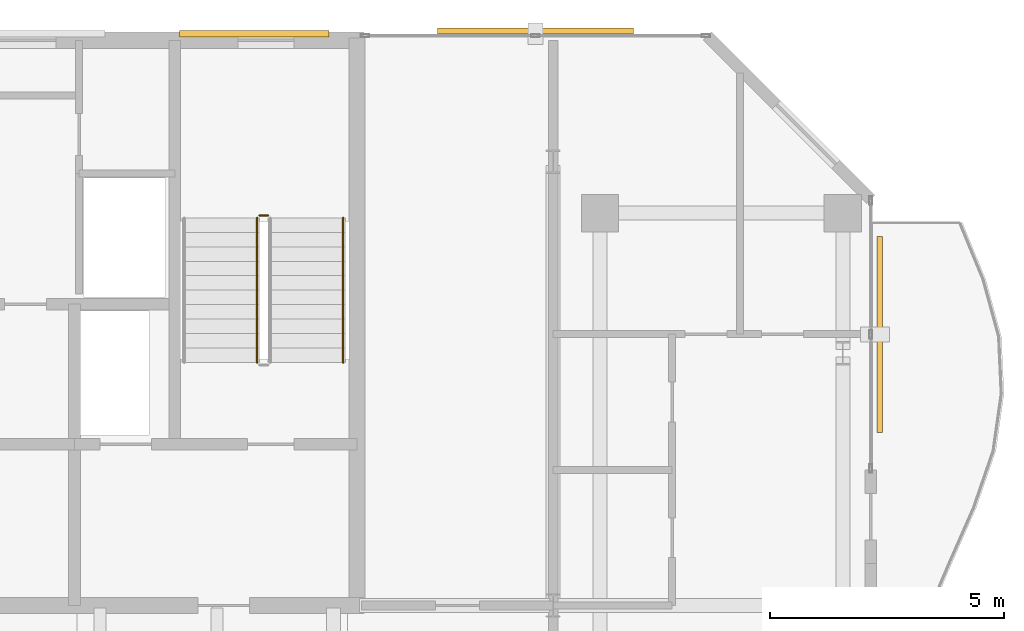
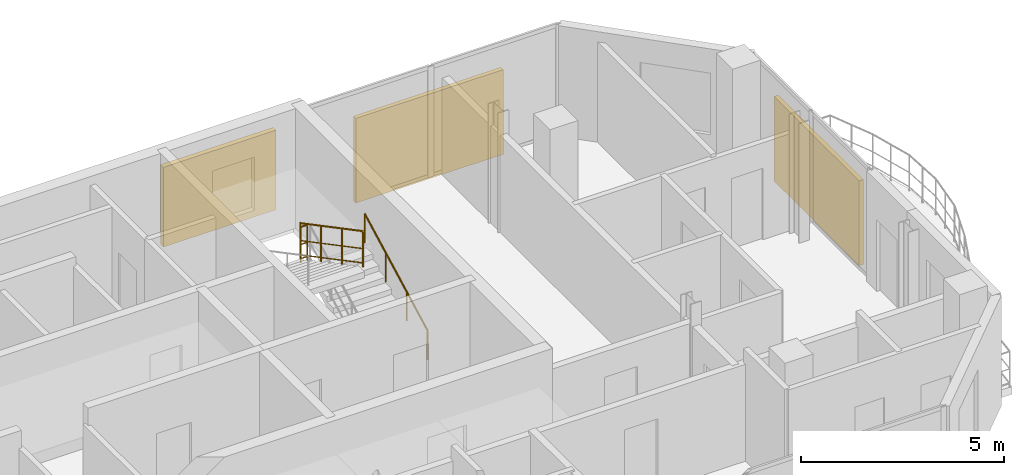
# One storey, part 23 of 23: 3 railings, 3 shading devices.
"""IFC4 building model written with IfcOpenShell, lengths in metres."""

import ifcopenshell
import ifcopenshell.guid

model = None  # the IFC model being written
_history = None  # IfcOwnerHistory: only IFC2X3 demands one
_inside = {}  # id of a spatial element -> (the spatial element, [elements in it])
_under = {}  # id of a project, library or spatial element -> (it, [spatial elements below it])
_declared = {}  # id of a project -> (the project, [libraries it declares])
_typed = {}  # id of a type object -> (the type object, [elements of that type])
_made_of = {}  # id of a material, layer set ... -> (it, [elements and type objects made of it])


def new_model(schema):
    """Start an empty IFC model of exactly this schema.

    Asked for "IFC4X3", IfcOpenShell would pick the latest addendum, in which some entities
    have other attributes; the version numbers below select the first issue.
    IFC2X3 requires an IfcOwnerHistory on every rooted entity: one is made here for all.
    """
    global model, _history
    if schema == "IFC4X3":
        model = ifcopenshell.file(schema_version=(4, 3, 0, 0))
    else:
        model = ifcopenshell.file(schema=schema)
    _inside.clear()
    _under.clear()
    _declared.clear()
    _typed.clear()
    _made_of.clear()
    _history = None
    if model.schema == "IFC2X3":
        org = make("IfcOrganization", Name="unknown")
        user = make(
            "IfcPersonAndOrganization",
            ThePerson=make("IfcPerson", FamilyName="unknown"),
            TheOrganization=org,
        )
        app = make(
            "IfcApplication",
            ApplicationDeveloper=org,
            Version="unknown",
            ApplicationFullName="unknown",
            ApplicationIdentifier="unknown",
        )
        _history = make(
            "IfcOwnerHistory",
            OwningUser=user,
            OwningApplication=app,
            ChangeAction="ADDED",
            CreationDate=0,
        )
    return model


def make(cls, **values):
    """One entity of the class cls with the attributes given. An attribute that is None is left unset."""
    return model.create_entity(
        cls, **{name: value for name, value in values.items() if value is not None}
    )


def rooted(cls, **values):
    """An entity with a GlobalId (a new one), such as an element, a storey or a relation."""
    return make(cls, GlobalId=ifcopenshell.guid.new(), OwnerHistory=_history, **values)


def si_unit(unit_type, name, prefix=None):
    """IfcSIUnit, for example si_unit("LENGTHUNIT", "METRE", prefix="MILLI")."""
    return make("IfcSIUnit", UnitType=unit_type, Prefix=prefix, Name=name)


def assignment(units):
    """IfcUnitAssignment: the units of a project."""
    return None if units is None else make("IfcUnitAssignment", Units=units)


def point(xyz):
    """IfcCartesianPoint."""
    return None if xyz is None else make("IfcCartesianPoint", Coordinates=xyz)


def direction(xyz):
    """IfcDirection."""
    return None if xyz is None else make("IfcDirection", DirectionRatios=xyz)


def frame(location, z_axis=None, x_axis=None):
    """IfcAxis2Placement3D, a coordinate frame: its origin and axes. An axis left out is left unset."""
    return make(
        "IfcAxis2Placement3D",
        Location=point(location),
        Axis=direction(z_axis),
        RefDirection=direction(x_axis),
    )


def frame_2d(location, x_axis=None):
    """IfcAxis2Placement2D, a coordinate frame in the plane: its origin and x axis."""
    return make(
        "IfcAxis2Placement2D", Location=point(location), RefDirection=direction(x_axis)
    )


def origin():
    """The frame at (0, 0, 0) with its axes left unset."""
    return frame((0.0, 0.0, 0.0))


def origin_2d():
    """The frame at (0, 0) in the plane with its x axis left unset."""
    return frame_2d((0.0, 0.0))


def place(relative_to, where):
    """IfcLocalPlacement: puts the frame where relative to a parent placement (None: the world)."""
    return make(
        "IfcLocalPlacement", PlacementRelTo=relative_to, RelativePlacement=where
    )


def context(
    kind, dimensions, precision=None, world=None, true_north=None, identifier=None
):
    """IfcGeometricRepresentationContext, for example the 3D "Model" context."""
    return make(
        "IfcGeometricRepresentationContext",
        ContextIdentifier=identifier,
        ContextType=kind,
        CoordinateSpaceDimension=dimensions,
        Precision=precision,
        WorldCoordinateSystem=world,
        TrueNorth=true_north,
    )


def subcontext(parent, identifier, kind, view, scale=None):
    """IfcGeometricRepresentationSubContext, for example "Body" below "Model"."""
    return make(
        "IfcGeometricRepresentationSubContext",
        ContextIdentifier=identifier,
        ContextType=kind,
        ParentContext=parent,
        TargetScale=scale,
        TargetView=view,
    )


def project(units=None, contexts=None):
    """IfcProject with its units and contexts."""
    return rooted(
        "IfcProject",
        Name="project",
        RepresentationContexts=contexts,
        UnitsInContext=assignment(units),
    )


def spatial(cls, under=None, at=None, **own):
    """A site, building, storey or space (cls), placed at a placement, below another one or the project."""
    s = rooted(cls, ObjectPlacement=at, **own)
    if under is not None:
        _under.setdefault(under.id(), (under, []))[1].append(s)
    return s


def profile(cls, at=None, kind="AREA", **sizes):
    """A parametric profile (cls). Its sizes go by their IFC names, for example OverallWidth=200.0."""
    return make(cls, ProfileType=kind, Position=at, **sizes)


def rectangle(**sizes):
    """IfcRectangleProfileDef."""
    return profile("IfcRectangleProfileDef", **sizes)


def circle(**sizes):
    """IfcCircleProfileDef."""
    return profile("IfcCircleProfileDef", **sizes)


def extrude(swept, where, along, depth):
    """IfcExtrudedAreaSolid: the profile swept, set in the frame where, extruded along a direction by depth."""
    return make(
        "IfcExtrudedAreaSolid",
        SweptArea=swept,
        Position=where,
        ExtrudedDirection=direction(along),
        Depth=depth,
    )


def shape(context_of_items, identifier, shape_type, items):
    """IfcShapeRepresentation: the items that make up one representation, for example the "Body"."""
    return make(
        "IfcShapeRepresentation",
        ContextOfItems=context_of_items,
        RepresentationIdentifier=identifier,
        RepresentationType=shape_type,
        Items=items,
    )


def material(Name=None, Category=None):
    """IfcMaterial."""
    return make("IfcMaterial", Name=Name, Category=Category)


def made_of(thing, what):
    """Note that an element or type object is made of a material, layer set ...; save() writes the relation."""
    if what is not None:
        _made_of.setdefault(what.id(), (what, []))[1].append(thing)
    return thing


def type_object(cls, material=None, **own):
    """A type object (cls), such as IfcWallType, which elements share."""
    return made_of(rooted(cls, **own), material)


def element(
    cls,
    number,
    at=None,
    inside=None,
    cuts=None,
    type_object=None,
    material=None,
    context=None,
    identifier="Body",
    shape_type=None,
    held_by="IfcProductDefinitionShape",
    body=None,
    shapes=None,
    **own,
):
    """One element of the class cls, such as IfcWall. Its Tag is "e" and its number.

    at: its placement. inside: the storey or other place that contains it. cuts: it is an
    opening in that element (IfcRelVoidsElement). A single representation is given by context,
    identifier, shape_type and body (its items); several are given by shapes. held_by: the class
    of the entity that holds the representations. save() writes the other relations.
    """
    e = rooted(cls, Tag="e%d" % number, ObjectPlacement=at, **own)
    if body is not None:
        shapes = [shape(context, identifier, shape_type, body)]
    if shapes is not None:
        e.Representation = make(held_by, Representations=shapes)
    if inside is not None:
        _inside.setdefault(inside.id(), (inside, []))[1].append(e)
    if cuts is not None:
        rooted(
            "IfcRelVoidsElement", RelatingBuildingElement=cuts, RelatedOpeningElement=e
        )
    if type_object is not None:
        _typed.setdefault(type_object.id(), (type_object, []))[1].append(e)
    return made_of(e, material)


def aggregate(whole, parts):
    """IfcRelAggregates: a whole, such as a stair, and the parts it consists of."""
    return rooted("IfcRelAggregates", RelatingObject=whole, RelatedObjects=parts)


def save(model, path):
    """Write the relations noted so far, then the file.

    IfcRelAggregates (storeys below a building ...), IfcRelContainedInSpatialStructure (elements
    in a storey), IfcRelDefinesByType, IfcRelAssociatesMaterial and IfcRelDeclares: one each for
    every whole, place, type object, material and project.
    """
    for whole, parts in _under.values():
        aggregate(whole, parts)
    for where, things in _inside.values():
        rooted(
            "IfcRelContainedInSpatialStructure",
            RelatedElements=things,
            RelatingStructure=where,
        )
    for kind, things in _typed.values():
        rooted("IfcRelDefinesByType", RelatedObjects=things, RelatingType=kind)
    for what, things in _made_of.values():
        rooted("IfcRelAssociatesMaterial", RelatedObjects=things, RelatingMaterial=what)
    for by, libraries in _declared.values():
        rooted("IfcRelDeclares", RelatingContext=by, RelatedDefinitions=libraries)
    model.write(path)


model = new_model("IFC4")

# Units and contexts
model_context = context("Model", 3, precision=1e-05, world=origin(), true_north=direction((0.0, 1.0)))
body_context = subcontext(model_context, "Body", "Model", "MODEL_VIEW")
ifc_project = project(units=[si_unit("LENGTHUNIT", "METRE"), si_unit("AREAUNIT", "SQUARE_METRE"), si_unit("VOLUMEUNIT", "CUBIC_METRE"), si_unit("PLANEANGLEUNIT", "RADIAN"), si_unit("MASSUNIT", "GRAM", prefix="KILO")], contexts=[model_context])

# Site, building, storey
site_placement = place(None, origin())
site = spatial("IfcSite", under=ifc_project, at=site_placement, CompositionType="ELEMENT")
building_placement = place(site_placement, origin())
building = spatial("IfcBuilding", under=site, at=building_placement, Name="Catumbela Crestline Tower", CompositionType="ELEMENT")
storey_placement = place(building_placement, frame((0.0, 0.0, 175.8)))
storey = spatial("IfcBuildingStorey", under=building, at=storey_placement, Name="L45", CompositionType="ELEMENT", Elevation=175.8)

# Railings
ifc_material_1 = material(Name="Stainless steel EN 1.4401", Category="steel")
railing_type_1 = type_object("IfcRailingType", Name="RG-1100", PredefinedType="GUARDRAIL", material=ifc_material_1)
railing_1_placement = place(storey_placement, frame((38.09, 39.15, 1.8)))
element("IfcRailing", 1, at=railing_1_placement, inside=storey, type_object=railing_type_1, Name="L45 ST-02 stair guard 2", PredefinedType="GUARDRAIL", context=body_context, shape_type="SweptSolid", body=[
    extrude(circle(Radius=0.024, at=origin_2d()), frame((0.0, 0.0, 1.076), z_axis=(-1.0, 0.0, 0.0), x_axis=(0.0, -1.0, 0.0)), (0.0, 0.0, 1.0), 0.18),
    extrude(circle(Radius=0.0156, at=origin_2d()), frame((0.0, 0.0, 0.55), z_axis=(-1.0, 0.0, 0.0), x_axis=(0.0, -1.0, 0.0)), (0.0, 0.0, 1.0), 0.18),
    extrude(circle(Radius=0.0156, at=origin_2d()), frame((0.0, 0.0, 0.12), z_axis=(-1.0, 0.0, 0.0), x_axis=(0.0, -1.0, 0.0)), (0.0, 0.0, 1.0), 0.18),
    extrude(circle(Radius=0.021, at=origin_2d()), origin(), (0.0, 0.0, 1.0), 1.052),
    extrude(circle(Radius=0.021, at=origin_2d()), frame((-0.18, 0.0, 0.0)), (0.0, 0.0, 1.0), 1.052),
])
railing_2_placement = place(storey_placement, frame((37.86, 39.1, 1.9636)))
element("IfcRailing", 2, at=railing_2_placement, inside=storey, type_object=railing_type_1, Name="L45 ST-02 stair guard 3", PredefinedType="GUARDRAIL", context=body_context, shape_type="SweptSolid", body=[
    extrude(circle(Radius=0.024, at=origin_2d()), frame((0.0, 0.0, 1.076), z_axis=(0.0, -0.884350731049, 0.466823076222), x_axis=(1.0, 0.0, 0.0)), (0.0, 0.0, 1.0), 3.5054),
    extrude(circle(Radius=0.0156, at=origin_2d()), frame((0.0, 0.0, 0.55), z_axis=(0.0, -0.884350731049, 0.466823076222), x_axis=(1.0, 0.0, 0.0)), (0.0, 0.0, 1.0), 3.5054),
    extrude(circle(Radius=0.0156, at=origin_2d()), frame((0.0, 0.0, 0.12), z_axis=(0.0, -0.884350731049, 0.466823076222), x_axis=(1.0, 0.0, 0.0)), (0.0, 0.0, 1.0), 3.5054),
    extrude(circle(Radius=0.021, at=origin_2d()), origin(), (0.0, 0.0, 1.0), 1.052),
    extrude(circle(Radius=0.021, at=origin_2d()), frame((0.0, -1.0333, 0.5455)), (0.0, 0.0, 1.0), 1.052),
    extrude(circle(Radius=0.021, at=origin_2d()), frame((0.0, -2.0667, 1.0909)), (0.0, 0.0, 1.0), 1.052),
    extrude(circle(Radius=0.021, at=origin_2d()), frame((0.0, -3.1, 1.6364)), (0.0, 0.0, 1.0), 1.052),
])
railing_type_2 = type_object("IfcRailingType", Name="RH-0900", PredefinedType="HANDRAIL", material=ifc_material_1)
railing_3_placement = place(storey_placement, frame((39.7, 36.0, 0.1636)))
element("IfcRailing", 3, at=railing_3_placement, inside=storey, type_object=railing_type_2, Name="L45 ST-02 stair handrail 1", PredefinedType="HANDRAIL", context=body_context, shape_type="SweptSolid", body=[
    extrude(circle(Radius=0.024, at=origin_2d()), frame((0.0, 0.0, 0.876), z_axis=(0.0, 0.884350731049, 0.466823076222), x_axis=(-1.0, 0.0, 0.0)), (0.0, 0.0, 1.0), 3.5054),
    extrude(circle(Radius=0.021, at=origin_2d()), origin(), (0.0, 0.0, 1.0), 0.852),
    extrude(circle(Radius=0.021, at=origin_2d()), frame((0.0, 1.0333, 0.5455)), (0.0, 0.0, 1.0), 0.852),
    extrude(circle(Radius=0.021, at=origin_2d()), frame((0.0, 2.0667, 1.0909)), (0.0, 0.0, 1.0), 0.852),
    extrude(circle(Radius=0.021, at=origin_2d()), frame((0.0, 3.1, 1.6364)), (0.0, 0.0, 1.0), 0.852),
])

# Shading devices
ifc_material_2 = material(Name="Extruded terracotta ceramic", Category="masonry")
shading_device_type_1 = type_object("IfcShadingDeviceType", Name="ST-180", PredefinedType="USERDEFINED", material=ifc_material_2)
shading_device_1_placement = place(storey_placement, frame((37.8, 43.04, 0.55), z_axis=(0.0, 0.0, 1.0), x_axis=(1.0, 0.0, 0.0)))
element("IfcShadingDevice", 4, at=shading_device_1_placement, inside=storey, type_object=shading_device_type_1, Name="L45 Rear Core Terracotta Brise-Soleil Screen 511", ObjectType="SCREEN", PredefinedType="USERDEFINED", context=body_context, shape_type="SweptSolid", body=[
    extrude(rectangle(XDim=3.2, YDim=0.14, at=origin_2d()), origin(), (0.0, 0.0, 1.0), 2.4),
])
shading_device_2_placement = place(storey_placement, frame((43.82, 43.099, -0.1), z_axis=(0.0, 0.0, 1.0), x_axis=(-1.0, 0.0, 0.0)))
element("IfcShadingDevice", 5, at=shading_device_2_placement, inside=storey, type_object=shading_device_type_1, Name="L45 Perforated Terracotta Solar Screen 519 (180 mm)", ObjectType="SCREEN", PredefinedType="USERDEFINED", context=body_context, shape_type="SweptSolid", body=[
    extrude(rectangle(XDim=4.2, YDim=0.12, at=origin_2d()), origin(), (0.0, 0.0, 1.0), 2.55),
])
shading_device_type_2 = type_object("IfcShadingDeviceType", Name="ST-340", PredefinedType="USERDEFINED", material=ifc_material_2)
shading_device_3_placement = place(storey_placement, frame((51.187, 36.6, -0.1), z_axis=(0.0, 0.0, 1.0), x_axis=(0.0, 1.0, 0.0)))
element("IfcShadingDevice", 6, at=shading_device_3_placement, inside=storey, type_object=shading_device_type_2, Name="L45 Perforated Terracotta Solar Screen 518 (340 mm)", ObjectType="SCREEN", PredefinedType="USERDEFINED", context=body_context, shape_type="SweptSolid", body=[
    extrude(rectangle(XDim=4.2, YDim=0.12, at=origin_2d()), origin(), (0.0, 0.0, 1.0), 2.55),
])

save(model, "model.ifc")
